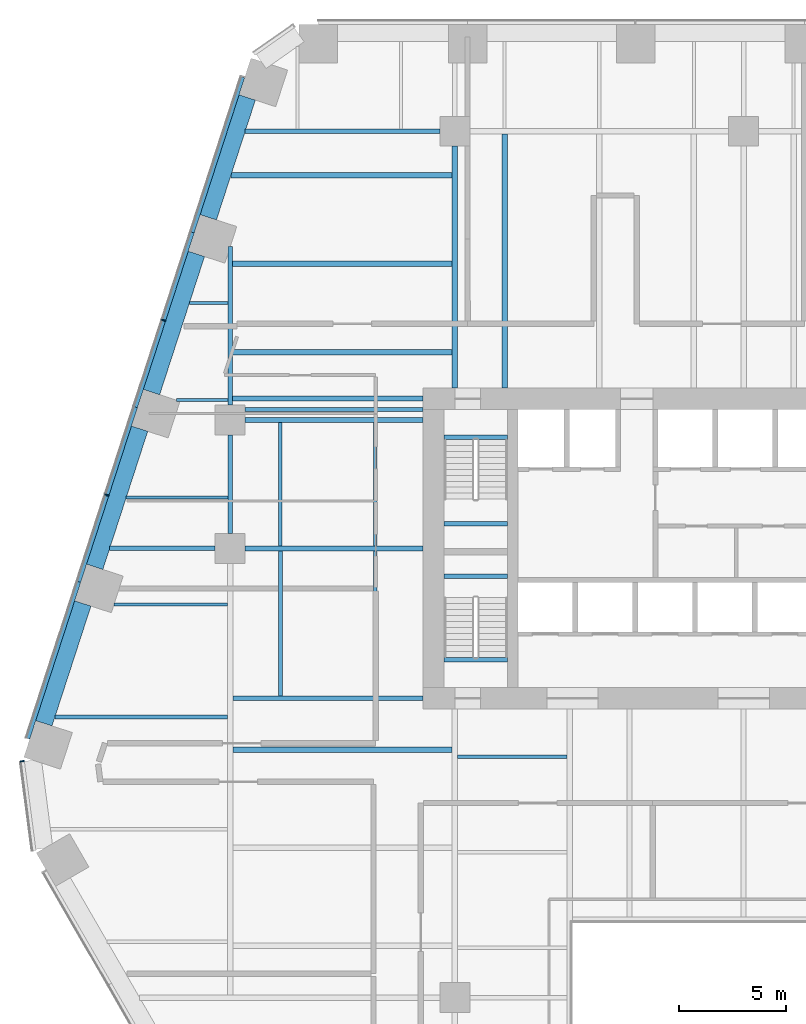
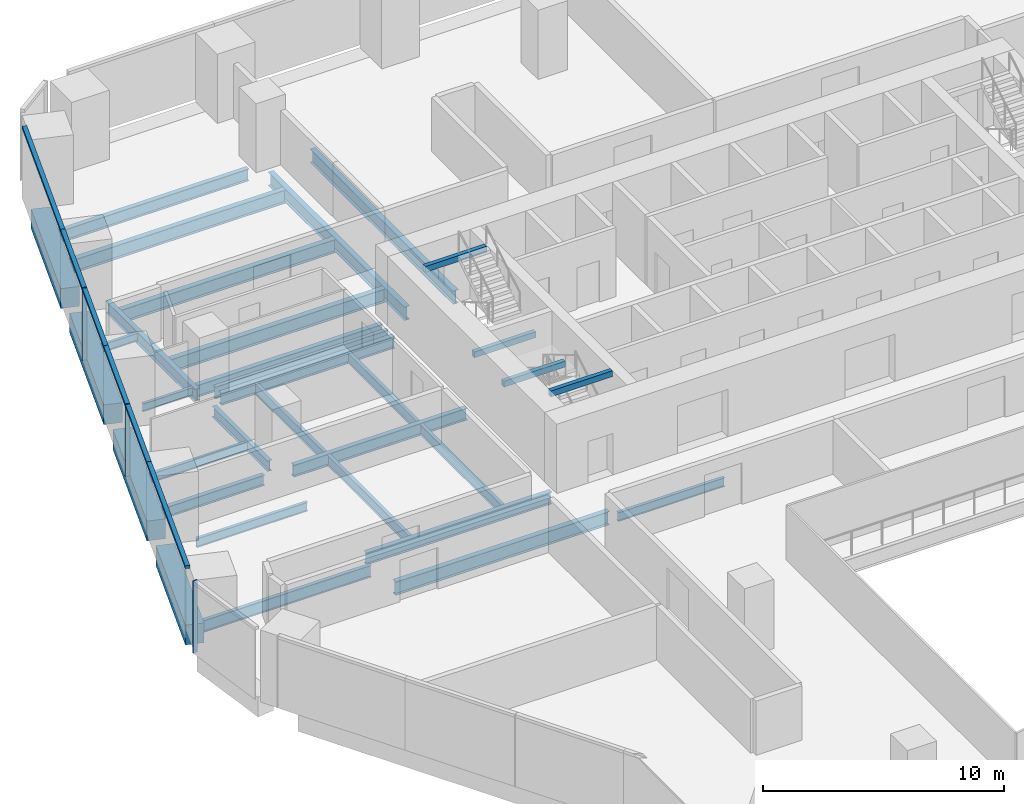
# One storey, part 8 of 20: 33 beams, 9 members, 2 elements without a shape of their own.
"""IFC4 building model written with IfcOpenShell, lengths in metres."""

from ifc_helpers import new_model, si_unit, direction, frame, origin, origin_2d, place, context, subcontext, project, spatial, rectangle, i_section, extrude, material, layer, layer_set, material_profile, profile_set, type_object, element, aggregate, save


model = new_model("IFC4")

# Units and contexts
model_context = context("Model", 3, precision=1e-05, world=origin(), true_north=direction((0.0, 1.0)))
body_context = subcontext(model_context, "Body", "Model", "MODEL_VIEW")
ifc_project = project(units=[si_unit("LENGTHUNIT", "METRE"), si_unit("AREAUNIT", "SQUARE_METRE"), si_unit("VOLUMEUNIT", "CUBIC_METRE"), si_unit("PLANEANGLEUNIT", "RADIAN"), si_unit("MASSUNIT", "GRAM", prefix="KILO")], contexts=[model_context])

# Site, building, storey
site_placement = place(None, origin())
site = spatial("IfcSite", under=ifc_project, at=site_placement, CompositionType="ELEMENT")
building_placement = place(site_placement, origin())
building = spatial("IfcBuilding", under=site, at=building_placement, Name="Isthmus Gate Tower", CompositionType="ELEMENT")
storey_placement = place(building_placement, frame((0.0, 0.0, 57.89990234375)))
storey = spatial("IfcBuildingStorey", under=building, at=storey_placement, Name="L12", CompositionType="ELEMENT", Elevation=57.89990234375)

# Curtain wall, members
ifc_material_1 = material(Name="Aluminium, pale champagne anodised", Category="aluminium")
ifc_layer = layer(ifc_material_1, 0.199951171875)
ifc_layer_set = layer_set([ifc_layer], Name="CW-1 UNITISED CURTAIN WALL 200 DEEP")
curtain_wall_type = type_object("IfcCurtainWallType", Name="CW-1 UNITISED CURTAIN WALL 200 DEEP", PredefinedType="NOTDEFINED", material=ifc_layer_set)
curtain_wall_1_placement = place(storey_placement, origin())
curtain_wall_1 = element("IfcCurtainWall", 1, at=curtain_wall_1_placement, inside=storey, type_object=curtain_wall_type, Name="CW-1 NW L12", PredefinedType="NOTDEFINED")
ifc_material_2 = material(Name="Aluminium, pale champagne anodised", Category="aluminium")
ifc_material_profile_1 = material_profile(ifc_material_2, rectangle(XDim=0.06005859375, YDim=0.199951171875, at=origin_2d()), Name="60x200")
ifc_profile_set_1 = profile_set([ifc_material_profile_1], Name="Aluminium, pale champagne anodised")
member_type_1 = type_object("IfcMemberType", Name="CW-1 MULLION 60 X 200", PredefinedType="MULLION", material=ifc_profile_set_1)
member_1_placement = place(storey_placement, frame((-27.11474609375, 18.163818359375, 0.0), z_axis=(0.0, 0.0, 1.0), x_axis=(-0.309016994375, -0.951056516295, 0.0)))
member_1 = element("IfcMember", 2, at=member_1_placement, type_object=member_type_1, Name="CW-1 mullion", PredefinedType="MULLION", context=body_context, shape_type="SweptSolid", body=[
    extrude(rectangle(XDim=0.06005859375, YDim=0.199951171875, at=origin_2d()), origin(), (0.0, 0.0, 1.0), 3.650146484375),
])
member_2_placement = place(storey_placement, frame((-29.76904296875, 9.994873046875, 0.0), z_axis=(0.0, 0.0, 1.0), x_axis=(-0.309016994375, -0.951056516295, 0.0)))
member_2 = element("IfcMember", 3, at=member_2_placement, type_object=member_type_1, Name="CW-1 mullion", PredefinedType="MULLION", context=body_context, shape_type="SweptSolid", body=[
    extrude(rectangle(XDim=0.06005859375, YDim=0.199951171875, at=origin_2d()), origin(), (0.0, 0.0, 1.0), 3.650146484375),
])

# Curtain wall, member
curtain_wall_2_placement = place(storey_placement, origin())
curtain_wall_2 = element("IfcCurtainWall", 4, at=curtain_wall_2_placement, inside=storey, type_object=curtain_wall_type, Name="CW-1 NW-SW L12", PredefinedType="NOTDEFINED")
member_3_placement = place(storey_placement, frame((-33.722900390625, -2.44482421875, 0.0), z_axis=(0.0, 0.0, 1.0), x_axis=(0.129164534, -0.991623175988, 0.0)))
member_3 = element("IfcMember", 5, at=member_3_placement, type_object=member_type_1, Name="CW-1 mullion", PredefinedType="MULLION", context=body_context, shape_type="SweptSolid", body=[
    extrude(rectangle(XDim=0.06005859375, YDim=0.199951171875, at=origin_2d()), origin(), (0.0, 0.0, 1.0), 3.650146484375),
])
aggregate(curtain_wall_2, [member_3])

# Member
ifc_material_3 = material(Name="Aluminium, pale champagne anodised", Category="aluminium")
ifc_material_profile_2 = material_profile(ifc_material_3, rectangle(XDim=0.199951171875, YDim=0.14990234375, at=origin_2d()), Name="200x150")
ifc_profile_set_2 = profile_set([ifc_material_profile_2], Name="Aluminium, pale champagne anodised")
member_type_2 = type_object("IfcMemberType", Name="CW-1 TRANSOM 200 X 150", PredefinedType="USERDEFINED", material=ifc_profile_set_2)
member_4_placement = place(storey_placement, frame((-23.4208984375, 29.532958984375, 3.5751953125), z_axis=(-0.309018780445, -0.951055935964, 0.0), x_axis=(0.951055935964, -0.309018780445, 0.0)))
member_4 = element("IfcMember", 6, at=member_4_placement, type_object=member_type_2, Name="CW-1 transom", ObjectType="TRANSOM", PredefinedType="USERDEFINED", context=body_context, shape_type="SweptSolid", body=[
    extrude(rectangle(XDim=0.199951171875, YDim=0.14990234375, at=origin_2d()), origin(), (0.0, 0.0, 1.0), 7.629638671875),
])

member_5_placement = place(storey_placement, frame((-25.778564453125, 22.27685546875, 3.5751953125), z_axis=(-0.309021801109, -0.951054954479, 0.0), x_axis=(0.951054954479, -0.309021801109, 0.0)))
member_5 = element("IfcMember", 7, at=member_5_placement, type_object=member_type_2, Name="CW-1 transom", ObjectType="TRANSOM", PredefinedType="USERDEFINED", context=body_context, shape_type="SweptSolid", body=[
    extrude(rectangle(XDim=0.199951171875, YDim=0.14990234375, at=origin_2d()), origin(), (0.0, 0.0, 1.0), 4.294677734375),
])

member_6_placement = place(storey_placement, frame((-27.1240234375, 18.13525390625, 3.5751953125), z_axis=(-0.309023496777, -0.951054403512, 0.0), x_axis=(0.951054403512, -0.309023496777, 0.0)))
member_6 = element("IfcMember", 8, at=member_6_placement, type_object=member_type_2, Name="CW-1 transom", ObjectType="TRANSOM", PredefinedType="USERDEFINED", context=body_context, shape_type="SweptSolid", body=[
    extrude(rectangle(XDim=0.199951171875, YDim=0.14990234375, at=origin_2d()), origin(), (0.0, 0.0, 1.0), 4.234619140625),
])

member_7_placement = place(storey_placement, frame((-28.4326171875, 14.10791015625, 3.5751953125), z_axis=(-0.309021801109, -0.951054954479, 0.0), x_axis=(0.951054954479, -0.309021801109, 0.0)))
member_7 = element("IfcMember", 9, at=member_7_placement, type_object=member_type_2, Name="CW-1 transom", ObjectType="TRANSOM", PredefinedType="USERDEFINED", context=body_context, shape_type="SweptSolid", body=[
    extrude(rectangle(XDim=0.199951171875, YDim=0.14990234375, at=origin_2d()), origin(), (0.0, 0.0, 1.0), 4.294677734375),
])

member_8_placement = place(storey_placement, frame((-29.7783203125, 9.96630859375, 3.5751953125), z_axis=(-0.309023496777, -0.951054403512, 0.0), x_axis=(0.951054403512, -0.309023496777, 0.0)))
member_8 = element("IfcMember", 10, at=member_8_placement, type_object=member_type_2, Name="CW-1 transom", ObjectType="TRANSOM", PredefinedType="USERDEFINED", context=body_context, shape_type="SweptSolid", body=[
    extrude(rectangle(XDim=0.199951171875, YDim=0.14990234375, at=origin_2d()), origin(), (0.0, 0.0, 1.0), 4.234619140625),
])

member_9_placement = place(storey_placement, frame((-31.0869140625, 5.93896484375, 3.5751953125), z_axis=(-0.30902720148, -0.951053199745, 0.0), x_axis=(0.951053199745, -0.30902720148, 0.0)))
member_9 = element("IfcMember", 11, at=member_9_placement, type_object=member_type_2, Name="CW-1 transom", ObjectType="TRANSOM", PredefinedType="USERDEFINED", context=body_context, shape_type="SweptSolid", body=[
    extrude(rectangle(XDim=0.199951171875, YDim=0.14990234375, at=origin_2d()), origin(), (0.0, 0.0, 1.0), 7.689453125),
])

aggregate(curtain_wall_1, [member_4, member_5, member_1, member_6, member_7, member_2, member_8, member_9])

# Beams
ifc_material_4 = material(Name="Concrete f'c 70 MPa", Category="concrete")
ifc_material_profile_3 = material_profile(ifc_material_4, rectangle(XDim=0.800048828125, YDim=1.0, at=origin_2d()), Name="RC 800X1000")
ifc_profile_set_3 = profile_set([ifc_material_profile_3], Name="Concrete f'c 70 MPa")
beam_type_1 = type_object("IfcBeamType", Name="RC SPANDREL 800 X 1000", PredefinedType="SPANDREL", material=ifc_profile_set_3)
beam_1_placement = place(storey_placement, frame((-32.70947265625, -0.672607421875, -0.5), z_axis=(0.309005457803, 0.951060264677, 0.0), x_axis=(-0.951060264677, 0.309005457803, 0.0)))
element("IfcBeam", 12, at=beam_1_placement, inside=storey, type_object=beam_type_1, Name="str-spandrel-L12-18", PredefinedType="SPANDREL", context=body_context, shape_type="SweptSolid", body=[
    extrude(rectangle(XDim=0.800048828125, YDim=1.0, at=origin_2d()), origin(), (0.0, 0.0, 1.0), 5.889404296875),
])
for number, where, z_axis, x_axis, name in (
    (13, (-30.333251953125, 6.640380859375, -0.5), (0.30900150794, 0.951061548004, 0.0), (-0.951061548004, 0.30900150794, 0.0), "str-spandrel-L12-19"),
    (14, (-27.67919921875, 14.809326171875, -0.5), (0.309034033576, 0.951050979754, 0.0), (-0.951050979754, 0.309034033576, 0.0), "str-spandrel-L12-20"),
):
    element("IfcBeam", number, at=place(storey_placement, frame(where, z_axis=z_axis, x_axis=x_axis)), inside=storey, type_object=beam_type_1, Name=name, PredefinedType="SPANDREL", context=body_context, shape_type="SweptSolid", body=[
        extrude(rectangle(XDim=0.800048828125, YDim=1.0, at=origin_2d()), origin(), (0.0, 0.0, 1.0), 6.789306640625),
    ])
beam_2_placement = place(storey_placement, frame((-25.02490234375, 22.978271484375, -0.5), z_axis=(0.309042953764, 0.951048081187, 0.0), x_axis=(-0.951048081187, 0.309042953764, 0.0)))
element("IfcBeam", 15, at=beam_2_placement, inside=storey, type_object=beam_type_1, Name="str-spandrel-L12-21", PredefinedType="SPANDREL", context=body_context, shape_type="SweptSolid", body=[
    extrude(rectangle(XDim=0.800048828125, YDim=1.0, at=origin_2d()), origin(), (0.0, 0.0, 1.0), 5.889404296875),
])
ifc_material_5 = material(Name="Concrete f'c 40 MPa", Category="concrete")
ifc_material_profile_4 = material_profile(ifc_material_5, rectangle(XDim=0.199951171875, YDim=0.300048828125, at=origin_2d()), Name="STAIR LANDING BEAM RC 200 X 300")
ifc_profile_set_4 = profile_set([ifc_material_profile_4], Name="Concrete f'c 40 MPa")
beam_type_2 = type_object("IfcBeamType", Name="STAIR LANDING BEAM RC 200 X 300", PredefinedType="BEAM", material=ifc_profile_set_4)
for number, where, z_axis, x_axis, name in (
    (16, (-14.0, 8.64990234375, 1.47509765625), (1.0, 0.0, 0.0), (0.0, 1.0, 0.0), "L12 ST1 landing beam 1"),
    (17, (-14.0, 12.7001953125, 3.35009765625), (1.0, 0.0, 0.0), (0.0, 1.0, 0.0), "L12 ST1 floor-edge seat beam"),
    (18, (-14.0, 6.199951171875, 1.47509765625), (1.0, 0.0, 0.0), (0.0, 1.0, 0.0), "L12 ST7 landing beam 1"),
    (19, (-14.0, 2.2998046875, 3.35009765625), (1.0, 0.0, 0.0), (0.0, 1.0, 0.0), "L12 ST7 floor-edge seat beam"),
):
    element("IfcBeam", number, at=place(storey_placement, frame(where, z_axis=z_axis, x_axis=x_axis)), inside=storey, type_object=beam_type_2, Name=name, PredefinedType="BEAM", context=body_context, shape_type="SweptSolid", body=[
        extrude(rectangle(XDim=0.199951171875, YDim=0.300048828125, at=origin_2d()), origin(), (0.0, 0.0, 1.0), 2.949951171875),
    ])
ifc_material_6 = material(Name="Structural steel ASTM A992 Gr 50", Category="steel")
ifc_material_profile_5 = material_profile(ifc_material_6, i_section(OverallWidth=0.1396484375, OverallDepth=0.4033203125, WebThickness=0.00634765625, FlangeThickness=0.010986328125, at=origin_2d()), Name="W16X31")
ifc_profile_set_5 = profile_set([ifc_material_profile_5], Name="Structural steel ASTM A992 Gr 50")
beam_type_3 = type_object("IfcBeamType", Name="STEEL FLOOR BEAM W16X31", PredefinedType="JOIST", material=ifc_profile_set_5)
beam_3_placement = place(storey_placement, frame((-26.503662109375, 14.427490234375, -0.3515625), z_axis=(1.0, 0.0, 0.0), x_axis=(0.0, 1.0, 0.0)))
element("IfcBeam", 20, at=beam_3_placement, inside=storey, type_object=beam_type_3, Name="str-beam-L12-01-01", PredefinedType="JOIST", context=body_context, shape_type="SweptSolid", body=[
    extrude(i_section(OverallWidth=0.1396484375, OverallDepth=0.4033203125, WebThickness=0.00634765625, FlangeThickness=0.010986328125, at=origin_2d()), origin(), (0.0, 0.0, 1.0), 2.389404296875),
])
beam_4_placement = place(storey_placement, frame((-25.90478515625, 18.975830078125, -0.3515625), z_axis=(1.0, 0.0, 0.0), x_axis=(0.0, 1.0, 0.0)))
element("IfcBeam", 21, at=beam_4_placement, inside=storey, type_object=beam_type_3, Name="str-beam-L12-01-02", PredefinedType="JOIST", context=body_context, shape_type="SweptSolid", body=[
    extrude(i_section(OverallWidth=0.1396484375, OverallDepth=0.4033203125, WebThickness=0.00634765625, FlangeThickness=0.010986328125, at=origin_2d()), origin(), (0.0, 0.0, 1.0), 1.79052734375),
])
ifc_material_7 = material(Name="Structural steel ASTM A992 Gr 50", Category="steel")
ifc_material_profile_6 = material_profile(ifc_material_7, i_section(OverallWidth=0.15234375, OverallDepth=0.45068359375, WebThickness=0.0078125, FlangeThickness=0.010986328125, at=origin_2d()), Name="W18X35")
ifc_profile_set_6 = profile_set([ifc_material_profile_6], Name="Structural steel ASTM A992 Gr 50")
beam_type_4 = type_object("IfcBeamType", Name="STEEL FLOOR BEAM W18X35", PredefinedType="JOIST", material=ifc_profile_set_6)
beam_5_placement = place(storey_placement, frame((-29.434814453125, 4.875, -0.375244140625), z_axis=(1.0, 0.0, 0.0), x_axis=(0.0, 1.0, 0.0)))
element("IfcBeam", 22, at=beam_5_placement, inside=storey, type_object=beam_type_4, Name="str-beam-L12-00-03", PredefinedType="JOIST", context=body_context, shape_type="SweptSolid", body=[
    extrude(i_section(OverallWidth=0.15234375, OverallDepth=0.45068359375, WebThickness=0.0078125, FlangeThickness=0.010986328125, at=origin_2d()), origin(), (0.0, 0.0, 1.0), 5.301513671875),
])
beam_6_placement = place(storey_placement, frame((-28.860595703125, 9.87890625, -0.375244140625), z_axis=(1.0, 0.0, 0.0), x_axis=(0.0, 1.0, 0.0)))
element("IfcBeam", 23, at=beam_6_placement, inside=storey, type_object=beam_type_4, Name="str-beam-L12-01-00", PredefinedType="JOIST", context=body_context, shape_type="SweptSolid", body=[
    extrude(i_section(OverallWidth=0.15234375, OverallDepth=0.45068359375, WebThickness=0.0078125, FlangeThickness=0.010986328125, at=origin_2d()), origin(), (0.0, 0.0, 1.0), 4.755859375),
])
beam_7_placement = place(storey_placement, frame((-13.3681640625, -2.232421875, -0.375244140625), z_axis=(1.0, 0.0, 0.0), x_axis=(0.0, 1.0, 0.0)))
element("IfcBeam", 24, at=beam_7_placement, inside=storey, type_object=beam_type_4, Name="str-beam-L12-11-02", PredefinedType="JOIST", context=body_context, shape_type="SweptSolid", body=[
    extrude(i_section(OverallWidth=0.15234375, OverallDepth=0.45068359375, WebThickness=0.0078125, FlangeThickness=0.010986328125, at=origin_2d()), origin(), (0.0, 0.0, 1.0), 5.1015625),
])
ifc_material_8 = material(Name="Structural steel ASTM A992 Gr 50", Category="steel")
ifc_material_profile_7 = material_profile(ifc_material_8, i_section(OverallWidth=0.1650390625, OverallDepth=0.52392578125, WebThickness=0.009521484375, FlangeThickness=0.010986328125, at=origin_2d()), Name="W21X44")
ifc_profile_set_7 = profile_set([ifc_material_profile_7], Name="Structural steel ASTM A992 Gr 50")
beam_type_5 = type_object("IfcBeamType", Name="STEEL FLOOR BEAM W21X44", PredefinedType="JOIST", material=ifc_profile_set_7)
for number, where, z_axis, x_axis, name in (
    (25, (-21.64990234375, 0.6142578125, -0.411865234375), (0.0, 1.0, 0.0), (-1.0, 0.0, 0.0), "str-beam-L12-02-00"),
    (26, (-17.216552734375, 0.6142578125, -0.411865234375), (0.0, 1.0, 0.0), (-1.0, 0.0, 0.0), "str-beam-L12-02-01"),
):
    element("IfcBeam", number, at=place(storey_placement, frame(where, z_axis=z_axis, x_axis=x_axis)), inside=storey, type_object=beam_type_5, Name=name, PredefinedType="JOIST", context=body_context, shape_type="SweptSolid", body=[
        extrude(i_section(OverallWidth=0.1650390625, OverallDepth=0.52392578125, WebThickness=0.009521484375, FlangeThickness=0.010986328125, at=origin_2d()), origin(), (0.0, 0.0, 1.0), 6.771484375),
    ])
for number, where, z_axis, x_axis, name in (
    (27, (-21.67138671875, 7.6142578125, -0.411865234375), (0.0, 1.0, 0.0), (-1.0, 0.0, 0.0), "str-beam-L12-03-00"),
    (28, (-17.223876953125, 7.6142578125, -0.411865234375), (0.0, 1.0, 0.0), (-1.0, 0.0, 0.0), "str-beam-L12-03-01"),
):
    element("IfcBeam", number, at=place(storey_placement, frame(where, z_axis=z_axis, x_axis=x_axis)), inside=storey, type_object=beam_type_5, Name=name, PredefinedType="JOIST", context=body_context, shape_type="SweptSolid", body=[
        extrude(i_section(OverallWidth=0.1650390625, OverallDepth=0.52392578125, WebThickness=0.009521484375, FlangeThickness=0.010986328125, at=origin_2d()), origin(), (0.0, 0.0, 1.0), 5.771484375),
    ])
ifc_material_9 = material(Name="Structural steel ASTM A992 Gr 50", Category="steel")
ifc_material_profile_8 = material_profile(ifc_material_9, i_section(OverallWidth=0.177734375, OverallDepth=0.60009765625, WebThickness=0.009521484375, FlangeThickness=0.0126953125, at=origin_2d()), Name="W24X55")
ifc_profile_set_8 = profile_set([ifc_material_profile_8], Name="Structural steel ASTM A992 Gr 50")
beam_type_6 = type_object("IfcBeamType", Name="STEEL FLOOR BEAM W24X55", PredefinedType="JOIST", material=ifc_profile_set_8)
beam_8_placement = place(storey_placement, frame((-32.192138671875, -0.375, -0.449951171875), z_axis=(1.0, 0.0, 0.0), x_axis=(0.0, 1.0, 0.0)))
element("IfcBeam", 29, at=beam_8_placement, inside=storey, type_object=beam_type_6, Name="str-beam-L12-00-02", PredefinedType="JOIST", context=body_context, shape_type="SweptSolid", body=[
    extrude(i_section(OverallWidth=0.177734375, OverallDepth=0.60009765625, WebThickness=0.009521484375, FlangeThickness=0.0126953125, at=origin_2d()), origin(), (0.0, 0.0, 1.0), 8.058837890625),
])
beam_9_placement = place(storey_placement, frame((-23.300048828125, 14.0, -0.449951171875), z_axis=(1.0, 0.0, 0.0), x_axis=(0.0, 1.0, 0.0)))
element("IfcBeam", 30, at=beam_9_placement, inside=storey, type_object=beam_type_6, Name="str-beam-L12-04-00", PredefinedType="JOIST", context=body_context, shape_type="SweptSolid", body=[
    extrude(i_section(OverallWidth=0.177734375, OverallDepth=0.60009765625, WebThickness=0.009521484375, FlangeThickness=0.0126953125, at=origin_2d()), origin(), (0.0, 0.0, 1.0), 8.300048828125),
])
ifc_material_10 = material(Name="Structural steel ASTM A992 Gr 50", Category="steel")
ifc_material_profile_9 = material_profile(ifc_material_10, i_section(OverallWidth=0.25390625, OverallDepth=0.679443359375, WebThickness=0.010986328125, FlangeThickness=0.015869140625, at=origin_2d()), Name="W27X84")
ifc_profile_set_9 = profile_set([ifc_material_profile_9], Name="Structural steel ASTM A992 Gr 50")
beam_type_7 = type_object("IfcBeamType", Name="STEEL FLOOR BEAM W27X84", PredefinedType="JOIST", material=ifc_profile_set_9)
for number, where, z_axis, x_axis, name in (
    (31, (-23.8857421875, 16.678466796875, -0.489501953125), (1.0, 0.0, 0.0), (0.0, 1.0, 0.0), "str-beam-L12-06-00"),
    (32, (-23.8857421875, 20.80712890625, -0.489501953125), (1.0, 0.0, 0.0), (0.0, 1.0, 0.0), "str-beam-L12-06-01"),
):
    element("IfcBeam", number, at=place(storey_placement, frame(where, z_axis=z_axis, x_axis=x_axis)), inside=storey, type_object=beam_type_7, Name=name, PredefinedType="JOIST", context=body_context, shape_type="SweptSolid", body=[
        extrude(i_section(OverallWidth=0.25390625, OverallDepth=0.679443359375, WebThickness=0.010986328125, FlangeThickness=0.015869140625, at=origin_2d()), origin(), (0.0, 0.0, 1.0), 10.2587890625),
    ])
beam_10_placement = place(storey_placement, frame((-23.96826171875, 24.935791015625, -0.489501953125), z_axis=(1.0, 0.0, 0.0), x_axis=(0.0, 1.0, 0.0)))
element("IfcBeam", 33, at=beam_10_placement, inside=storey, type_object=beam_type_7, Name="str-beam-L12-06-02", PredefinedType="JOIST", context=body_context, shape_type="SweptSolid", body=[
    extrude(i_section(OverallWidth=0.25390625, OverallDepth=0.679443359375, WebThickness=0.010986328125, FlangeThickness=0.015869140625, at=origin_2d()), origin(), (0.0, 0.0, 1.0), 10.34130859375),
])
beam_11_placement = place(storey_placement, frame((-23.86669921875, -1.90625, -0.489501953125), z_axis=(1.0, 0.0, 0.0), x_axis=(0.0, 1.0, 0.0)))
element("IfcBeam", 34, at=beam_11_placement, inside=storey, type_object=beam_type_7, Name="str-beam-L12-07-02", PredefinedType="JOIST", context=body_context, shape_type="SweptSolid", body=[
    extrude(i_section(OverallWidth=0.25390625, OverallDepth=0.679443359375, WebThickness=0.010986328125, FlangeThickness=0.015869140625, at=origin_2d()), origin(), (0.0, 0.0, 1.0), 10.23486328125),
])
beam_12_placement = place(storey_placement, frame((-11.165283203125, 15.0, -0.489501953125), z_axis=(0.0, 1.0, 0.0), x_axis=(-1.0, 0.0, 0.0)))
element("IfcBeam", 35, at=beam_12_placement, inside=storey, type_object=beam_type_7, Name="str-beam-L12-13-00", PredefinedType="JOIST", context=body_context, shape_type="SweptSolid", body=[
    extrude(i_section(OverallWidth=0.25390625, OverallDepth=0.679443359375, WebThickness=0.010986328125, FlangeThickness=0.015869140625, at=origin_2d()), origin(), (0.0, 0.0, 1.0), 11.8681640625),
])
ifc_material_11 = material(Name="Structural steel ASTM A992 Gr 50", Category="steel")
ifc_material_profile_10 = material_profile(ifc_material_11, i_section(OverallWidth=0.20947265625, OverallDepth=0.533447265625, WebThickness=0.009521484375, FlangeThickness=0.015869140625, at=origin_2d()), Name="W21X62")
ifc_profile_set_10 = profile_set([ifc_material_profile_10], Name="Structural steel ASTM A992 Gr 50")
beam_type_8 = type_object("IfcBeamType", Name="STEEL GIRDER W21X62", PredefinedType="BEAM", material=ifc_profile_set_10)
beam_13_placement = place(storey_placement, frame((-29.633544921875, 7.5, -0.41650390625), z_axis=(1.0, 0.0, 0.0), x_axis=(0.0, 1.0, 0.0)))
element("IfcBeam", 36, at=beam_13_placement, inside=storey, type_object=beam_type_8, Name="str-girder-L12-09", PredefinedType="BEAM", context=body_context, shape_type="SweptSolid", body=[
    extrude(i_section(OverallWidth=0.20947265625, OverallDepth=0.533447265625, WebThickness=0.009521484375, FlangeThickness=0.015869140625, at=origin_2d()), origin(), (0.0, 0.0, 1.0), 4.93359375),
])
beam_14_placement = place(storey_placement, frame((-24.0, 8.199951171875, -0.41650390625), z_axis=(0.0, 1.0, 0.0), x_axis=(-1.0, 0.0, 0.0)))
element("IfcBeam", 37, at=beam_14_placement, inside=storey, type_object=beam_type_8, Name="str-girder-L12-21", PredefinedType="BEAM", context=body_context, shape_type="SweptSolid", body=[
    extrude(i_section(OverallWidth=0.20947265625, OverallDepth=0.533447265625, WebThickness=0.009521484375, FlangeThickness=0.015869140625, at=origin_2d()), origin(), (0.0, 0.0, 1.0), 4.60009765625),
])
ifc_material_12 = material(Name="Structural steel ASTM A992 Gr 50", Category="steel")
ifc_material_profile_11 = material_profile(ifc_material_12, i_section(OverallWidth=0.228515625, OverallDepth=0.603271484375, WebThickness=0.010986328125, FlangeThickness=0.014404296875, at=origin_2d()), Name="W24X68")
ifc_profile_set_11 = profile_set([ifc_material_profile_11], Name="Structural steel ASTM A992 Gr 50")
beam_type_9 = type_object("IfcBeamType", Name="STEEL GIRDER W24X68", PredefinedType="BEAM", material=ifc_profile_set_11)
beam_15_placement = place(storey_placement, frame((-24.0, 14.199951171875, -0.451416015625), z_axis=(0.0, 1.0, 0.0), x_axis=(-1.0, 0.0, 0.0)))
element("IfcBeam", 38, at=beam_15_placement, inside=storey, type_object=beam_type_9, Name="str-girder-L12-22", PredefinedType="BEAM", context=body_context, shape_type="SweptSolid", body=[
    extrude(i_section(OverallWidth=0.228515625, OverallDepth=0.603271484375, WebThickness=0.010986328125, FlangeThickness=0.014404296875, at=origin_2d()), origin(), (0.0, 0.0, 1.0), 7.402099609375),
])
ifc_material_13 = material(Name="Structural steel ASTM A992 Gr 50", Category="steel")
ifc_material_profile_12 = material_profile(ifc_material_13, i_section(OverallWidth=0.228515625, OverallDepth=0.6064453125, WebThickness=0.010986328125, FlangeThickness=0.017578125, at=origin_2d()), Name="W24X76")
ifc_profile_set_12 = profile_set([ifc_material_profile_12], Name="Structural steel ASTM A992 Gr 50")
beam_type_10 = type_object("IfcBeamType", Name="STEEL GIRDER W24X76", PredefinedType="BEAM", material=ifc_profile_set_12)
for number, where, z_axis, x_axis, name in (
    (39, (-23.300048828125, 7.5, -0.453125), (1.0, 0.0, 0.0), (0.0, 1.0, 0.0), "str-girder-L12-10"),
    (40, (-23.300048828125, 13.5, -0.453125), (1.0, 0.0, 0.0), (0.0, 1.0, 0.0), "str-girder-L12-13"),
):
    element("IfcBeam", number, at=place(storey_placement, frame(where, z_axis=z_axis, x_axis=x_axis)), inside=storey, type_object=beam_type_10, Name=name, PredefinedType="BEAM", context=body_context, shape_type="SweptSolid", body=[
        extrude(i_section(OverallWidth=0.228515625, OverallDepth=0.6064453125, WebThickness=0.010986328125, FlangeThickness=0.017578125, at=origin_2d()), origin(), (0.0, 0.0, 1.0), 8.300048828125),
    ])
beam_16_placement = place(storey_placement, frame((-23.297607421875, 27.0, -0.453125), z_axis=(1.0, 0.0, 0.0), x_axis=(0.0, 1.0, 0.0)))
element("IfcBeam", 41, at=beam_16_placement, inside=storey, type_object=beam_type_10, Name="str-girder-L12-16", PredefinedType="BEAM", context=body_context, shape_type="SweptSolid", body=[
    extrude(i_section(OverallWidth=0.228515625, OverallDepth=0.6064453125, WebThickness=0.010986328125, FlangeThickness=0.017578125, at=origin_2d()), origin(), (0.0, 0.0, 1.0), 9.09765625),
])
beam_17_placement = place(storey_placement, frame((-15.0, 0.5, -0.453125), z_axis=(-1.0, 0.0, 0.0), x_axis=(0.0, -1.0, 0.0)))
element("IfcBeam", 42, at=beam_17_placement, inside=storey, type_object=beam_type_10, Name="str-girder-L12-38", PredefinedType="BEAM", context=body_context, shape_type="SweptSolid", body=[
    extrude(i_section(OverallWidth=0.228515625, OverallDepth=0.6064453125, WebThickness=0.010986328125, FlangeThickness=0.017578125, at=origin_2d()), origin(), (0.0, 0.0, 1.0), 8.86669921875),
])
beam_18_placement = place(storey_placement, frame((-15.0, 14.5, -0.453125), z_axis=(-1.0, 0.0, 0.0), x_axis=(0.0, -1.0, 0.0)))
element("IfcBeam", 43, at=beam_18_placement, inside=storey, type_object=beam_type_10, Name="str-girder-L12-40", PredefinedType="BEAM", context=body_context, shape_type="SweptSolid", body=[
    extrude(i_section(OverallWidth=0.228515625, OverallDepth=0.6064453125, WebThickness=0.010986328125, FlangeThickness=0.017578125, at=origin_2d()), origin(), (0.0, 0.0, 1.0), 8.8857421875),
])
ifc_material_14 = material(Name="Structural steel ASTM A992 Gr 50", Category="steel")
ifc_material_profile_13 = material_profile(ifc_material_14, i_section(OverallWidth=0.25390625, OverallDepth=0.679443359375, WebThickness=0.010986328125, FlangeThickness=0.015869140625, at=origin_2d()), Name="W27X84")
ifc_profile_set_13 = profile_set([ifc_material_profile_13], Name="Structural steel ASTM A992 Gr 50")
beam_type_11 = type_object("IfcBeamType", Name="STEEL GIRDER W27X84", PredefinedType="BEAM", material=ifc_profile_set_13)
beam_19_placement = place(storey_placement, frame((-13.5, 15.0, -0.489501953125), z_axis=(0.0, 1.0, 0.0), x_axis=(-1.0, 0.0, 0.0)))
element("IfcBeam", 44, at=beam_19_placement, inside=storey, type_object=beam_type_11, Name="str-girder-L12-26", PredefinedType="BEAM", context=body_context, shape_type="SweptSolid", body=[
    extrude(i_section(OverallWidth=0.25390625, OverallDepth=0.679443359375, WebThickness=0.010986328125, FlangeThickness=0.015869140625, at=origin_2d()), origin(), (0.0, 0.0, 1.0), 11.300048828125),
])

save(model, "model.ifc")
